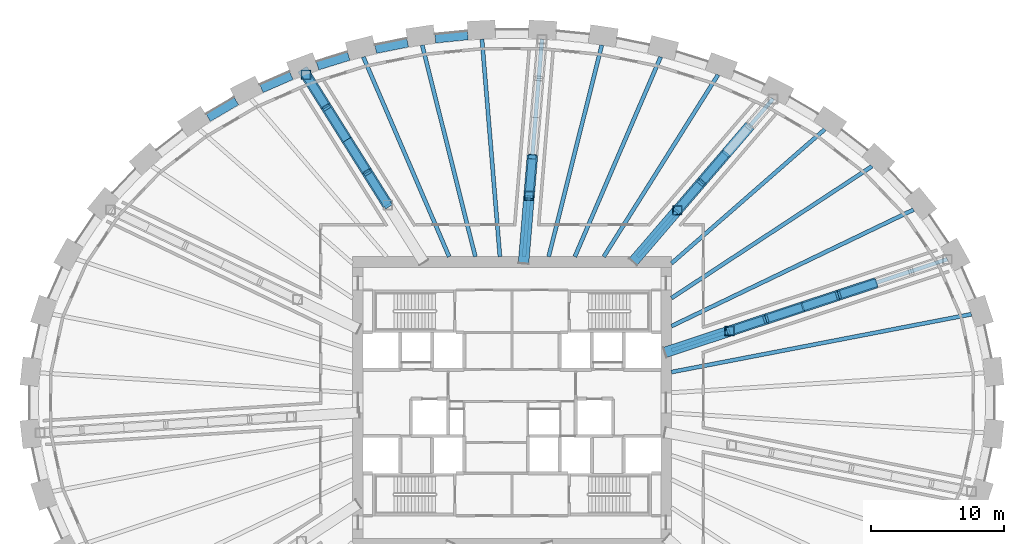
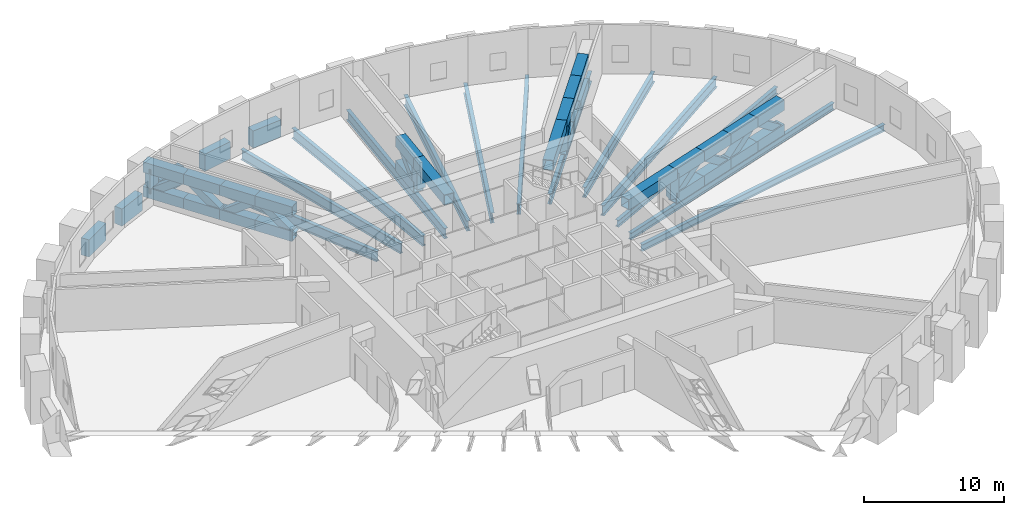
# One storey, part 4 of 13: 42 members, 18 beams.
"""IFC4 building model written with IfcOpenShell, lengths in metres."""

from ifc_helpers import new_model, si_unit, direction, frame, origin, origin_2d, place, context, subcontext, project, spatial, rectangle, hollow_rectangle, i_section, extrude, source, transform, mapped, material, material_profile, profile_set, type_object, element, save


model = new_model("IFC4")

# Units and contexts
model_context = context("Model", 3, precision=1e-05, world=origin(), true_north=direction((0.0, 1.0)))
body_context = subcontext(model_context, "Body", "Model", "MODEL_VIEW")
ifc_project = project(units=[si_unit("LENGTHUNIT", "METRE"), si_unit("AREAUNIT", "SQUARE_METRE"), si_unit("VOLUMEUNIT", "CUBIC_METRE"), si_unit("PLANEANGLEUNIT", "RADIAN"), si_unit("MASSUNIT", "GRAM", prefix="KILO")], contexts=[model_context])

# Site, building, storey
site_placement = place(None, origin())
site = spatial("IfcSite", under=ifc_project, at=site_placement, CompositionType="ELEMENT")
building_placement = place(site_placement, origin())
building = spatial("IfcBuilding", under=site, at=building_placement, Name="Embergate Tower", CompositionType="ELEMENT")
storey_placement = place(building_placement, frame((0.0, 0.0, 195.0)))
storey = spatial("IfcBuildingStorey", under=building, at=storey_placement, Name="L44", CompositionType="ELEMENT", Elevation=195.0)

# Beams
ifc_material_1 = material(Name="Concrete C60", Category="concrete")
ifc_material_profile_1 = material_profile(ifc_material_1, rectangle(XDim=0.64990234375, YDim=1.5, at=origin_2d()), Name="RC 650x1500")
ifc_profile_set_1 = profile_set([ifc_material_profile_1], Name="Concrete C60")
beam_type_1 = type_object("IfcBeamType", Name="Spandrel beam RC 650x1500 C60", PredefinedType="BEAM", material=ifc_profile_set_1)
shared_shape_1 = source(origin(), body_context, "Body", "SweptSolid", [
    extrude(rectangle(XDim=0.64990234375, YDim=1.5, at=origin_2d()), origin(), (0.0, 0.0, 1.0), 2.464111328125),
])
beam_1_placement = place(storey_placement, frame((-20.738037109375, 22.70703125, 0.0), z_axis=(-0.862005524643, -0.506898880928, 0.0), x_axis=(0.506898880928, -0.862005524643, 0.0)))
element("IfcBeam", 1, at=beam_1_placement, inside=storey, type_object=beam_type_1, Name="SPN-L44-15", PredefinedType="BEAM", context=body_context, shape_type="MappedRepresentation", body=[
    mapped(shared_shape_1, transform((0.0, 0.0, 0.0))),
])
shared_shape_2 = source(origin(), body_context, "Body", "SweptSolid", [
    extrude(rectangle(XDim=0.64990234375, YDim=1.5, at=origin_2d()), origin(), (0.0, 0.0, 1.0), 2.4609375),
])
beam_2_placement = place(storey_placement, frame((-16.60302734375, 24.62890625, 0.0), z_axis=(-0.916257487085, -0.400589836818, 0.0), x_axis=(0.400589836818, -0.916257487085, 0.0)))
element("IfcBeam", 2, at=beam_2_placement, inside=storey, type_object=beam_type_1, Name="SPN-L44-14", PredefinedType="BEAM", context=body_context, shape_type="MappedRepresentation", body=[
    mapped(shared_shape_2, transform((0.0, 0.0, 0.0))),
])
shared_shape_3 = source(origin(), body_context, "Body", "SweptSolid", [
    extrude(rectangle(XDim=0.64990234375, YDim=1.5, at=origin_2d()), origin(), (0.0, 0.0, 1.0), 2.4580078125),
])
beam_3_placement = place(storey_placement, frame((-12.2890625, 26.093994140625, 0.0), z_axis=(-0.954764072866, -0.297364364315, 0.0), x_axis=(0.297364364315, -0.954764072866, 0.0)))
element("IfcBeam", 3, at=beam_3_placement, inside=storey, type_object=beam_type_1, Name="SPN-L44-13", PredefinedType="BEAM", context=body_context, shape_type="MappedRepresentation", body=[
    mapped(shared_shape_3, transform((0.0, 0.0, 0.0))),
])
shared_shape_4 = source(origin(), body_context, "Body", "SweptSolid", [
    extrude(rectangle(XDim=0.64990234375, YDim=1.5, at=origin_2d()), origin(), (0.0, 0.0, 1.0), 2.456787109375),
])
beam_4_placement = place(storey_placement, frame((-7.845947265625, 27.095947265625, 0.0), z_axis=(-0.98049267216, -0.196555640573, 0.0), x_axis=(0.196555640573, -0.98049267216, 0.0)))
element("IfcBeam", 4, at=beam_4_placement, inside=storey, type_object=beam_type_1, Name="SPN-L44-12", PredefinedType="BEAM", context=body_context, shape_type="MappedRepresentation", body=[
    mapped(shared_shape_4, transform((0.0, 0.0, 0.0))),
])
shared_shape_5 = source(origin(), body_context, "Body", "SweptSolid", [
    extrude(rectangle(XDim=0.64990234375, YDim=1.5, at=origin_2d()), origin(), (0.0, 0.0, 1.0), 2.455810546875),
])
beam_5_placement = place(storey_placement, frame((-3.324951171875, 27.64599609375, 0.0), z_axis=(-0.995213749565, -0.097722017363, 0.0), x_axis=(0.097722017363, -0.995213749565, 0.0)))
element("IfcBeam", 5, at=beam_5_placement, inside=storey, type_object=beam_type_1, Name="SPN-L44-11", PredefinedType="BEAM", context=body_context, shape_type="MappedRepresentation", body=[
    mapped(shared_shape_5, transform((0.0, 0.0, 0.0))),
])
ifc_material_2 = material(Name="Steel Q355B", Category="steel")
ifc_material_profile_2 = material_profile(ifc_material_2, i_section(OverallWidth=0.300048828125, OverallDepth=0.587890625, WebThickness=0.011962890625, FlangeThickness=0.02001953125, FilletRadius=0.012939453125, at=origin_2d()), Name="HM 588x300x12x20")
ifc_profile_set_2 = profile_set([ifc_material_profile_2], Name="Steel Q355 grade B")
beam_type_2 = type_object("IfcBeamType", Name="Plant girder HM 588x300x12x20", PredefinedType="BEAM", material=ifc_profile_set_2)
shared_shape_6 = source(origin(), body_context, "Body", "SweptSolid", [
    extrude(i_section(OverallWidth=0.300048828125, OverallDepth=0.587890625, WebThickness=0.011962890625, FlangeThickness=0.02001953125, FilletRadius=0.012939453125, at=origin_2d()), origin(), (0.0, 0.0, 1.0), 22.989990234375),
])
beam_6_placement = place(storey_placement, frame((34.573974609375, 6.6689453125, -0.593994140625), z_axis=(-0.981902604408, -0.189386576761, 0.0), x_axis=(0.189386576761, -0.981902604408, 0.0)))
element("IfcBeam", 6, at=beam_6_placement, inside=storey, type_object=beam_type_2, Name="GIR-L44-01", PredefinedType="BEAM", context=body_context, shape_type="MappedRepresentation", body=[
    mapped(shared_shape_6, transform((0.0, 0.0, 0.0))),
])
shared_shape_7 = source(origin(), body_context, "Body", "SweptSolid", [
    extrude(i_section(OverallWidth=0.300048828125, OverallDepth=0.587890625, WebThickness=0.011962890625, FlangeThickness=0.02001953125, FilletRadius=0.012939453125, at=origin_2d()), origin(), (0.0, 0.0, 1.0), 21.86181640625),
])
beam_7_placement = place(storey_placement, frame((32.761962890625, 10.803955078125, -0.593994140625), z_axis=(-0.949690212312, -0.313190837411, 0.0), x_axis=(0.313190837411, -0.949690212312, 0.0)))
element("IfcBeam", 7, at=beam_7_placement, inside=storey, type_object=beam_type_2, Name="GIR-L44-02", PredefinedType="BEAM", context=body_context, shape_type="MappedRepresentation", body=[
    mapped(shared_shape_7, transform((0.0, 0.0, 0.0))),
])
shared_shape_8 = source(origin(), body_context, "Body", "SweptSolid", [
    extrude(i_section(OverallWidth=0.300048828125, OverallDepth=0.587890625, WebThickness=0.011962890625, FlangeThickness=0.02001953125, FilletRadius=0.012939453125, at=origin_2d()), origin(), (0.0, 0.0, 1.0), 20.220458984375),
])
beam_8_placement = place(storey_placement, frame((30.221923828125, 14.5380859375, -0.593994140625), z_axis=(-0.901163637212, -0.433479064046, 0.0), x_axis=(0.433479064046, -0.901163637212, 0.0)))
element("IfcBeam", 8, at=beam_8_placement, inside=storey, type_object=beam_type_2, Name="GIR-L44-03", PredefinedType="BEAM", context=body_context, shape_type="MappedRepresentation", body=[
    mapped(shared_shape_8, transform((0.0, 0.0, 0.0))),
])
ifc_material_profile_3 = material_profile(ifc_material_2, i_section(OverallWidth=0.300048828125, OverallDepth=0.89990234375, WebThickness=0.01611328125, FlangeThickness=0.028076171875, FilletRadius=0.028076171875, at=origin_2d()), Name="HN 900x300x16x28")
ifc_profile_set_3 = profile_set([ifc_material_profile_3], Name="Steel Q355 grade B")
beam_type_3 = type_object("IfcBeamType", Name="Plant girder HN 900x300x16x28", PredefinedType="BEAM", material=ifc_profile_set_3)
shared_shape_9 = source(origin(), body_context, "Body", "SweptSolid", [
    extrude(i_section(OverallWidth=0.300048828125, OverallDepth=0.89990234375, WebThickness=0.01611328125, FlangeThickness=0.028076171875, FilletRadius=0.028076171875, at=origin_2d()), origin(), (0.0, 0.0, 1.0), 18.072509765625),
])
beam_9_placement = place(storey_placement, frame((27.10400390625, 17.80810546875, -0.75), z_axis=(-0.835741437454, -0.549123164437, 0.0), x_axis=(0.549123164437, -0.835741437454, 0.0)))
element("IfcBeam", 9, at=beam_9_placement, inside=storey, type_object=beam_type_3, Name="GIR-L44-04", PredefinedType="BEAM", context=body_context, shape_type="MappedRepresentation", body=[
    mapped(shared_shape_9, transform((0.0, 0.0, 0.0))),
])
shared_shape_10 = source(origin(), body_context, "Body", "SweptSolid", [
    extrude(i_section(OverallWidth=0.300048828125, OverallDepth=0.89990234375, WebThickness=0.01611328125, FlangeThickness=0.028076171875, FilletRadius=0.028076171875, at=origin_2d()), origin(), (0.0, 0.0, 1.0), 15.332275390625),
])
beam_10_placement = place(storey_placement, frame((23.5419921875, 20.587890625, -0.75), z_axis=(-0.752785772217, -0.658265585571, 0.0), x_axis=(0.658265585571, -0.752785772217, 0.0)))
element("IfcBeam", 10, at=beam_10_placement, inside=storey, type_object=beam_type_3, Name="GIR-L44-05", PredefinedType="BEAM", context=body_context, shape_type="MappedRepresentation", body=[
    mapped(shared_shape_10, transform((0.0, 0.0, 0.0))),
])
shared_shape_11 = source(origin(), body_context, "Body", "SweptSolid", [
    extrude(i_section(OverallWidth=0.300048828125, OverallDepth=0.89990234375, WebThickness=0.01611328125, FlangeThickness=0.028076171875, FilletRadius=0.028076171875, at=origin_2d()), origin(), (0.0, 0.0, 1.0), 15.656982421875),
])
beam_11_placement = place(storey_placement, frame((19.64697265625, 22.8779296875, -0.75), z_axis=(-0.65152174109, -0.758629963083, 0.0), x_axis=(0.758629963083, -0.65152174109, 0.0)))
element("IfcBeam", 11, at=beam_11_placement, inside=storey, type_object=beam_type_3, Name="GIR-L44-06", PredefinedType="BEAM", context=body_context, shape_type="MappedRepresentation", body=[
    mapped(shared_shape_11, transform((0.0, 0.0, 0.0))),
])
shared_shape_12 = source(origin(), body_context, "Body", "SweptSolid", [
    extrude(i_section(OverallWidth=0.300048828125, OverallDepth=0.89990234375, WebThickness=0.01611328125, FlangeThickness=0.028076171875, FilletRadius=0.028076171875, at=origin_2d()), origin(), (0.0, 0.0, 1.0), 16.16455078125),
])
beam_12_placement = place(storey_placement, frame((15.5048828125, 24.68896484375, -0.75), z_axis=(-0.531835896926, -0.84684743534, 0.0), x_axis=(0.84684743534, -0.531835896926, 0.0)))
element("IfcBeam", 12, at=beam_12_placement, inside=storey, type_object=beam_type_3, Name="GIR-L44-07", PredefinedType="BEAM", context=body_context, shape_type="MappedRepresentation", body=[
    mapped(shared_shape_12, transform((0.0, 0.0, 0.0))),
])
shared_shape_13 = source(origin(), body_context, "Body", "SweptSolid", [
    extrude(i_section(OverallWidth=0.300048828125, OverallDepth=0.89990234375, WebThickness=0.01611328125, FlangeThickness=0.028076171875, FilletRadius=0.028076171875, at=origin_2d()), origin(), (0.0, 0.0, 1.0), 16.363037109375),
])
for number, where, z_axis, x_axis, name in (
    (13, (11.18994140625, 26.032958984375, -0.75), (-0.394911270951, -0.918719265105, 0.0), (0.918719265105, -0.394911270951, 0.0), "GIR-L44-08"),
    (14, (-11.18994140625, 26.032958984375, -0.75), (0.394911270951, -0.918719265105, 0.0), (0.918719265105, 0.394911270951, 0.0), "GIR-L44-13"),
):
    element("IfcBeam", number, at=place(storey_placement, frame(where, z_axis=z_axis, x_axis=x_axis)), inside=storey, type_object=beam_type_3, Name=name, PredefinedType="BEAM", context=body_context, shape_type="MappedRepresentation", body=[
        mapped(shared_shape_13, transform((0.0, 0.0, 0.0))),
    ])
shared_shape_14 = source(origin(), body_context, "Body", "SweptSolid", [
    extrude(i_section(OverallWidth=0.300048828125, OverallDepth=0.89990234375, WebThickness=0.01611328125, FlangeThickness=0.028076171875, FilletRadius=0.028076171875, at=origin_2d()), origin(), (0.0, 0.0, 1.0), 16.416259765625),
])
for number, where, z_axis, x_axis, name in (
    (15, (6.758056640625, 26.922119140625, -0.75), (-0.243483815658, -0.969904960041, 0.0), (0.969904960041, -0.243483815658, 0.0), "GIR-L44-09"),
    (16, (-6.758056640625, 26.922119140625, -0.75), (0.243483815658, -0.969904960041, 0.0), (0.969904960041, 0.243483815658, 0.0), "GIR-L44-12"),
):
    element("IfcBeam", number, at=place(storey_placement, frame(where, z_axis=z_axis, x_axis=x_axis)), inside=storey, type_object=beam_type_3, Name=name, PredefinedType="BEAM", context=body_context, shape_type="MappedRepresentation", body=[
        mapped(shared_shape_14, transform((0.0, 0.0, 0.0))),
    ])
shared_shape_15 = source(origin(), body_context, "Body", "SweptSolid", [
    extrude(i_section(OverallWidth=0.300048828125, OverallDepth=0.89990234375, WebThickness=0.01611328125, FlangeThickness=0.028076171875, FilletRadius=0.028076171875, at=origin_2d()), origin(), (0.0, 0.0, 1.0), 16.419677734375),
])
for number, where, z_axis, x_axis, name in (
    (17, (2.260009765625, 27.364013671875, -0.75), (-0.082342836437, -0.996604062448, 0.0), (0.996604062448, -0.082342836437, 0.0), "GIR-L44-10"),
    (18, (-2.260009765625, 27.364013671875, -0.75), (0.082342836437, -0.996604062448, 0.0), (0.996604062448, 0.082342836437, 0.0), "GIR-L44-11"),
):
    element("IfcBeam", number, at=place(storey_placement, frame(where, z_axis=z_axis, x_axis=x_axis)), inside=storey, type_object=beam_type_3, Name=name, PredefinedType="BEAM", context=body_context, shape_type="MappedRepresentation", body=[
        mapped(shared_shape_15, transform((0.0, 0.0, 0.0))),
    ])

# Members
ifc_material_profile_4 = material_profile(ifc_material_2, hollow_rectangle(XDim=0.800048828125, YDim=0.89990234375, WallThickness=0.0400390625, at=origin_2d()), Name="BOX 900x800x40")
ifc_profile_set_4 = profile_set([ifc_material_profile_4], Name="Steel Q355 grade B")
member_type_1 = type_object("IfcMemberType", Name="Outrigger chord BOX 900x800x40", PredefinedType="CHORD", material=ifc_profile_set_4)
shared_shape_16 = source(origin(), body_context, "Body", "SweptSolid", [
    extrude(hollow_rectangle(XDim=0.800048828125, YDim=0.89990234375, WallThickness=0.0400390625, at=origin_2d()), origin(), (0.0, 0.0, 1.0), 5.200927734375),
])
member_1_placement = place(storey_placement, frame((11.52490234375, 3.800048828125, 2.570068359375), z_axis=(0.949687723772, 0.313198383323, 0.0), x_axis=(-0.313198383323, 0.949687723772, 0.0)))
element("IfcMember", 19, at=member_1_placement, inside=storey, type_object=member_type_1, Name="OUT-L44-02-TC00", PredefinedType="CHORD", context=body_context, shape_type="MappedRepresentation", body=[
    mapped(shared_shape_16, transform((0.0, 0.0, 0.0))),
])
shared_shape_17 = source(origin(), body_context, "Body", "SweptSolid", [
    extrude(hollow_rectangle(XDim=0.800048828125, YDim=0.89990234375, WallThickness=0.0400390625, at=origin_2d()), origin(), (0.0, 0.0, 1.0), 2.976806640625),
])
for number, where, z_axis, x_axis, name in (
    (20, (16.368896484375, 5.39794921875, 2.570068359375), (0.949711597763, 0.313125982751, 0.0), (-0.313125982751, 0.949711597763, 0.0), "OUT-L44-02-TC01"),
    (21, (24.56494140625, 8.10107421875, 2.570068359375), (0.949735984511, 0.31305200802, 0.0), (-0.31305200802, 0.949735984511, 0.0), "OUT-L44-02-TC04"),
    (22, (16.368896484375, 5.39794921875, 0.449951171875), (0.949711597763, 0.313125982751, 0.0), (-0.313125982751, 0.949711597763, 0.0), "OUT-L44-02-BC00"),
    (23, (24.56494140625, 8.10107421875, 0.449951171875), (0.949735984511, 0.31305200802, 0.0), (-0.31305200802, 0.949735984511, 0.0), "OUT-L44-02-BC03"),
):
    element("IfcMember", number, at=place(storey_placement, frame(where, z_axis=z_axis, x_axis=x_axis)), inside=storey, type_object=member_type_1, Name=name, PredefinedType="CHORD", context=body_context, shape_type="MappedRepresentation", body=[
        mapped(shared_shape_17, transform((0.0, 0.0, 0.0))),
    ])
shared_shape_18 = source(origin(), body_context, "Body", "SweptSolid", [
    extrude(hollow_rectangle(XDim=0.800048828125, YDim=0.89990234375, WallThickness=0.0400390625, at=origin_2d()), origin(), (0.0, 0.0, 1.0), 2.9765625),
])
for number, where, z_axis, x_axis, name in (
    (24, (19.10107421875, 6.299072265625, 2.570068359375), (0.949727945954, 0.313076394309, 0.0), (-0.313076394309, 0.949727945954, 0.0), "OUT-L44-02-TC02"),
    (25, (21.8330078125, 7.199951171875, 2.570068359375), (0.949703555614, 0.31315037355, 0.0), (-0.31315037355, 0.949703555614, 0.0), "OUT-L44-02-TC03"),
    (26, (19.10107421875, 6.299072265625, 0.449951171875), (0.949727945954, 0.313076394309, 0.0), (-0.313076394309, 0.949727945954, 0.0), "OUT-L44-02-BC01"),
    (27, (21.8330078125, 7.199951171875, 0.449951171875), (0.949703555614, 0.31315037355, 0.0), (-0.31315037355, 0.949703555614, 0.0), "OUT-L44-02-BC02"),
):
    element("IfcMember", number, at=place(storey_placement, frame(where, z_axis=z_axis, x_axis=x_axis)), inside=storey, type_object=member_type_1, Name=name, PredefinedType="CHORD", context=body_context, shape_type="MappedRepresentation", body=[
        mapped(shared_shape_18, transform((0.0, 0.0, 0.0))),
    ])
ifc_material_profile_5 = material_profile(ifc_material_2, hollow_rectangle(XDim=0.699951171875, YDim=0.699951171875, WallThickness=0.031982421875, at=origin_2d()), Name="BOX 700x700x32")
ifc_profile_set_5 = profile_set([ifc_material_profile_5], Name="Steel Q355 grade B")
member_type_2 = type_object("IfcMemberType", Name="Outrigger post BOX 700x700x32", PredefinedType="POST", material=ifc_profile_set_5)
shared_shape_19 = source(origin(), body_context, "Body", "SweptSolid", [
    extrude(hollow_rectangle(XDim=0.699951171875, YDim=0.699951171875, WallThickness=0.031982421875, at=origin_2d()), origin(), (0.0, 0.0, 1.0), 2.1201171875),
])
for number, where, z_axis, x_axis, name in (
    (28, (16.368896484375, 5.39794921875, 0.449951171875), (0.0, 0.0, 1.0), (1.0, 0.0, 0.0), "OUT-L44-02-PO00"),
    (29, (12.443115234375, 14.489990234375, 0.449951171875), (0.0, 0.0, 1.0), (1.0, 0.0, 0.0), "OUT-L44-06-PO00"),
    (30, (1.287109375, 15.583984375, 0.449951171875), (0.0, 0.0, 1.0), (1.0, 0.0, 0.0), "OUT-L44-10-PO00"),
    (31, (-15.506103515625, 24.68896484375, 0.449951171875), (0.0, 0.0, 1.0), (1.0, 0.0, 0.0), "OUT-L44-14-PO04"),
):
    element("IfcMember", number, at=place(storey_placement, frame(where, z_axis=z_axis, x_axis=x_axis)), inside=storey, type_object=member_type_2, Name=name, PredefinedType="POST", context=body_context, shape_type="MappedRepresentation", body=[
        mapped(shared_shape_19, transform((0.0, 0.0, 0.0))),
    ])
ifc_material_profile_6 = material_profile(ifc_material_2, hollow_rectangle(XDim=0.60009765625, YDim=0.60009765625, WallThickness=0.028076171875, at=origin_2d()), Name="BOX 600x600x28")
ifc_profile_set_6 = profile_set([ifc_material_profile_6], Name="Steel Q355 grade B")
member_type_3 = type_object("IfcMemberType", Name="Outrigger diagonal BOX 600x600x28", PredefinedType="BRACE", material=ifc_profile_set_6)
shared_shape_20 = source(origin(), body_context, "Body", "SweptSolid", [
    extrude(hollow_rectangle(XDim=0.60009765625, YDim=0.60009765625, WallThickness=0.028076171875, at=origin_2d()), origin(), (0.0, 0.0, 1.0), 3.57373046875),
])
for number, where, z_axis, x_axis, name in (
    (32, (16.368896484375, 5.39794921875, 0.449951171875), (0.764512061766, 0.252150301133, 0.593246603912), (-0.313222099743, 0.949679901984, 0.0), "OUT-L44-02-DG00"),
    (33, (24.56494140625, 8.10107421875, 2.570068359375), (0.764525229519, 0.252086328025, -0.593256821834), (-0.313145561205, 0.949705142398, 0.0), "OUT-L44-02-DG03"),
):
    element("IfcMember", number, at=place(storey_placement, frame(where, z_axis=z_axis, x_axis=x_axis)), inside=storey, type_object=member_type_3, Name=name, PredefinedType="BRACE", context=body_context, shape_type="MappedRepresentation", body=[
        mapped(shared_shape_20, transform((0.0, 0.0, 0.0))),
    ])
shared_shape_21 = source(origin(), body_context, "Body", "SweptSolid", [
    extrude(hollow_rectangle(XDim=0.60009765625, YDim=0.60009765625, WallThickness=0.028076171875, at=origin_2d()), origin(), (0.0, 0.0, 1.0), 3.573486328125),
])
for number, where, z_axis, x_axis, name in (
    (34, (19.10107421875, 6.299072265625, 2.570068359375), (0.764496841884, 0.252099494777, -0.593287808304), (-0.313170801129, 0.949696819685, 0.0), "OUT-L44-02-DG01"),
    (35, (21.8330078125, 7.199951171875, 0.449951171875), (0.764483673245, 0.252163470773, 0.593277588781), (-0.313247344494, 0.949671575424, 0.0), "OUT-L44-02-DG02"),
):
    element("IfcMember", number, at=place(storey_placement, frame(where, z_axis=z_axis, x_axis=x_axis)), inside=storey, type_object=member_type_3, Name=name, PredefinedType="BRACE", context=body_context, shape_type="MappedRepresentation", body=[
        mapped(shared_shape_21, transform((0.0, 0.0, 0.0))),
    ])
shared_shape_22 = source(origin(), body_context, "Body", "SweptSolid", [
    extrude(hollow_rectangle(XDim=0.800048828125, YDim=0.89990234375, WallThickness=0.0400390625, at=origin_2d()), origin(), (0.0, 0.0, 1.0), 5.199951171875),
])
member_2_placement = place(storey_placement, frame((9.1201171875, 10.62109375, 2.570068359375), z_axis=(0.651529566496, 0.758623242447, 0.0), x_axis=(-0.758623242447, 0.651529566496, 0.0)))
element("IfcMember", 36, at=member_2_placement, inside=storey, type_object=member_type_1, Name="OUT-L44-06-TC00", PredefinedType="CHORD", context=body_context, shape_type="MappedRepresentation", body=[
    mapped(shared_shape_22, transform((0.0, 0.0, 0.0))),
])
shared_shape_23 = source(origin(), body_context, "Body", "SweptSolid", [
    extrude(hollow_rectangle(XDim=0.800048828125, YDim=0.89990234375, WallThickness=0.0400390625, at=origin_2d()), origin(), (0.0, 0.0, 1.0), 2.8642578125),
])
for number, where, z_axis, x_axis, name in (
    (37, (12.443115234375, 14.489990234375, 2.570068359375), (0.651457968004, 0.75868472762, 0.0), (-0.75868472762, 0.651457968004, 0.0), "OUT-L44-06-TC01"),
    (38, (12.443115234375, 14.489990234375, 0.449951171875), (0.651457968004, 0.75868472762, 0.0), (-0.75868472762, 0.651457968004, 0.0), "OUT-L44-06-BC00"),
):
    element("IfcMember", number, at=place(storey_placement, frame(where, z_axis=z_axis, x_axis=x_axis)), inside=storey, type_object=member_type_1, Name=name, PredefinedType="CHORD", context=body_context, shape_type="MappedRepresentation", body=[
        mapped(shared_shape_23, transform((0.0, 0.0, 0.0))),
    ])
shared_shape_24 = source(origin(), body_context, "Body", "SweptSolid", [
    extrude(hollow_rectangle(XDim=0.800048828125, YDim=0.89990234375, WallThickness=0.0400390625, at=origin_2d()), origin(), (0.0, 0.0, 1.0), 2.864501953125),
])
for number, where, z_axis, x_axis, name in (
    (39, (14.243896484375, 16.5869140625, 2.570068359375), (0.651507025915, 0.758642600428, 0.0), (-0.758642600428, 0.651507025915, 0.0), "OUT-L44-06-TC02"),
    (40, (14.243896484375, 16.5869140625, 0.449951171875), (0.651507025915, 0.758642600428, 0.0), (-0.758642600428, 0.651507025915, 0.0), "OUT-L44-06-BC01"),
):
    element("IfcMember", number, at=place(storey_placement, frame(where, z_axis=z_axis, x_axis=x_axis)), inside=storey, type_object=member_type_1, Name=name, PredefinedType="CHORD", context=body_context, shape_type="MappedRepresentation", body=[
        mapped(shared_shape_24, transform((0.0, 0.0, 0.0))),
    ])
shared_shape_25 = source(origin(), body_context, "Body", "SweptSolid", [
    extrude(hollow_rectangle(XDim=0.800048828125, YDim=0.89990234375, WallThickness=0.0400390625, at=origin_2d()), origin(), (0.0, 0.0, 1.0), 2.864013671875),
])
for number, where, z_axis, x_axis, name in (
    (41, (16.044921875, 18.68408203125, 2.570068359375), (0.65150009767, 0.758648550211, 0.0), (-0.758648550211, 0.65150009767, 0.0), "OUT-L44-06-TC03"),
    (42, (16.044921875, 18.68408203125, 0.449951171875), (0.65150009767, 0.758648550211, 0.0), (-0.758648550211, 0.65150009767, 0.0), "OUT-L44-06-BC02"),
):
    element("IfcMember", number, at=place(storey_placement, frame(where, z_axis=z_axis, x_axis=x_axis)), inside=storey, type_object=member_type_1, Name=name, PredefinedType="CHORD", context=body_context, shape_type="MappedRepresentation", body=[
        mapped(shared_shape_25, transform((0.0, 0.0, 0.0))),
    ])
shared_shape_26 = source(origin(), body_context, "Body", "SweptSolid", [
    extrude(hollow_rectangle(XDim=0.60009765625, YDim=0.60009765625, WallThickness=0.028076171875, at=origin_2d()), origin(), (0.0, 0.0, 1.0), 3.4833984375),
])
member_3_placement = place(storey_placement, frame((12.443115234375, 14.489990234375, 0.449951171875), z_axis=(0.516945378241, 0.601958223117, 0.608616277745), x_axis=(-0.758645248967, 0.65150394183, 0.0)))
element("IfcMember", 43, at=member_3_placement, inside=storey, type_object=member_type_3, Name="OUT-L44-06-DG00", PredefinedType="BRACE", context=body_context, shape_type="MappedRepresentation", body=[
    mapped(shared_shape_26, transform((0.0, 0.0, 0.0))),
])
shared_shape_27 = source(origin(), body_context, "Body", "SweptSolid", [
    extrude(hollow_rectangle(XDim=0.60009765625, YDim=0.60009765625, WallThickness=0.028076171875, at=origin_2d()), origin(), (0.0, 0.0, 1.0), 3.48388671875),
])
member_4_placement = place(storey_placement, frame((14.243896484375, 16.5869140625, 2.570068359375), z_axis=(0.516974921876, 0.601981100572, -0.608568553826), x_axis=(-0.758639084175, 0.651511120368, 0.0)))
element("IfcMember", 44, at=member_4_placement, inside=storey, type_object=member_type_3, Name="OUT-L44-06-DG01", PredefinedType="BRACE", context=body_context, shape_type="MappedRepresentation", body=[
    mapped(shared_shape_27, transform((0.0, 0.0, 0.0))),
])
shared_shape_28 = source(origin(), body_context, "Body", "SweptSolid", [
    extrude(hollow_rectangle(XDim=0.800048828125, YDim=0.89990234375, WallThickness=0.0400390625, at=origin_2d()), origin(), (0.0, 0.0, 1.0), 5.19970703125),
])
member_5_placement = place(storey_placement, frame((0.867919921875, 10.501953125, 2.570068359375), z_axis=(0.082307174483, 0.996607008318, 0.0), x_axis=(-0.996607008318, 0.082307174483, 0.0)))
element("IfcMember", 45, at=member_5_placement, inside=storey, type_object=member_type_1, Name="OUT-L44-10-TC00", PredefinedType="CHORD", context=body_context, shape_type="MappedRepresentation", body=[
    mapped(shared_shape_28, transform((0.0, 0.0, 0.0))),
])
shared_shape_29 = source(origin(), body_context, "Body", "SweptSolid", [
    extrude(hollow_rectangle(XDim=0.800048828125, YDim=0.89990234375, WallThickness=0.0400390625, at=origin_2d()), origin(), (0.0, 0.0, 1.0), 3.055419921875),
])
for number, where, z_axis, x_axis, name in (
    (46, (1.287109375, 15.583984375, 2.570068359375), (0.082463525817, 0.996594083321, 0.0), (-0.996594083321, 0.082463525817, 0.0), "OUT-L44-10-TC01"),
    (47, (1.287109375, 15.583984375, 0.449951171875), (0.082463525817, 0.996594083321, 0.0), (-0.996594083321, 0.082463525817, 0.0), "OUT-L44-10-BC00"),
):
    element("IfcMember", number, at=place(storey_placement, frame(where, z_axis=z_axis, x_axis=x_axis)), inside=storey, type_object=member_type_1, Name=name, PredefinedType="CHORD", context=body_context, shape_type="MappedRepresentation", body=[
        mapped(shared_shape_29, transform((0.0, 0.0, 0.0))),
    ])
shared_shape_30 = source(origin(), body_context, "Body", "SweptSolid", [
    extrude(hollow_rectangle(XDim=0.60009765625, YDim=0.60009765625, WallThickness=0.028076171875, at=origin_2d()), origin(), (0.0, 0.0, 1.0), 3.636962890625),
])
member_6_placement = place(storey_placement, frame((1.287109375, 15.583984375, 0.449951171875), z_axis=(0.067059693748, 0.809750836514, 0.582929309814), x_axis=(-0.996588358367, 0.082532684242, 0.0)))
element("IfcMember", 48, at=member_6_placement, inside=storey, type_object=member_type_3, Name="OUT-L44-10-DG00", PredefinedType="BRACE", context=body_context, shape_type="MappedRepresentation", body=[
    mapped(shared_shape_30, transform((0.0, 0.0, 0.0))),
])
shared_shape_31 = source(origin(), body_context, "Body", "SweptSolid", [
    extrude(hollow_rectangle(XDim=0.800048828125, YDim=0.89990234375, WallThickness=0.0400390625, at=origin_2d()), origin(), (0.0, 0.0, 1.0), 2.9912109375),
])
for number, where, z_axis, x_axis, name in (
    (49, (-9.35498046875, 14.89501953125, 2.570068359375), (-0.531912430629, 0.846799365932, 0.0), (-0.846799365932, -0.531912430629, 0.0), "OUT-L44-14-TC01"),
    (50, (-12.429931640625, 19.7919921875, 2.570068359375), (-0.531912430629, 0.846799365932, 0.0), (-0.846799365932, -0.531912430629, 0.0), "OUT-L44-14-TC03"),
    (51, (-9.35498046875, 14.89501953125, 0.449951171875), (-0.531912430629, 0.846799365932, 0.0), (-0.846799365932, -0.531912430629, 0.0), "OUT-L44-14-BC00"),
    (52, (-12.429931640625, 19.7919921875, 0.449951171875), (-0.531912430629, 0.846799365932, 0.0), (-0.846799365932, -0.531912430629, 0.0), "OUT-L44-14-BC02"),
):
    element("IfcMember", number, at=place(storey_placement, frame(where, z_axis=z_axis, x_axis=x_axis)), inside=storey, type_object=member_type_1, Name=name, PredefinedType="CHORD", context=body_context, shape_type="MappedRepresentation", body=[
        mapped(shared_shape_31, transform((0.0, 0.0, 0.0))),
    ])
shared_shape_32 = source(origin(), body_context, "Body", "SweptSolid", [
    extrude(hollow_rectangle(XDim=0.800048828125, YDim=0.89990234375, WallThickness=0.0400390625, at=origin_2d()), origin(), (0.0, 0.0, 1.0), 2.99169921875),
])
for number, where, z_axis, x_axis, name in (
    (53, (-10.89208984375, 17.343994140625, 2.570068359375), (-0.532087976199, 0.846689072555, 0.0), (-0.846689072555, -0.532087976199, 0.0), "OUT-L44-14-TC02"),
    (54, (-10.89208984375, 17.343994140625, 0.449951171875), (-0.532087976199, 0.846689072555, 0.0), (-0.846689072555, -0.532087976199, 0.0), "OUT-L44-14-BC01"),
):
    element("IfcMember", number, at=place(storey_placement, frame(where, z_axis=z_axis, x_axis=x_axis)), inside=storey, type_object=member_type_1, Name=name, PredefinedType="CHORD", context=body_context, shape_type="MappedRepresentation", body=[
        mapped(shared_shape_32, transform((0.0, 0.0, 0.0))),
    ])
shared_shape_33 = source(origin(), body_context, "Body", "SweptSolid", [
    extrude(hollow_rectangle(XDim=0.800048828125, YDim=0.89990234375, WallThickness=0.0400390625, at=origin_2d()), origin(), (0.0, 0.0, 1.0), 3.390869140625),
])
for number, where, z_axis, x_axis, name in (
    (55, (-13.968017578125, 22.240966796875, 2.570068359375), (-0.532016706401, 0.846733856717, 0.0), (-0.846733856717, -0.532016706401, 0.0), "OUT-L44-14-TC04"),
    (56, (-13.968017578125, 22.240966796875, 0.449951171875), (-0.532016706401, 0.846733856717, 0.0), (-0.846733856717, -0.532016706401, 0.0), "OUT-L44-14-BC03"),
):
    element("IfcMember", number, at=place(storey_placement, frame(where, z_axis=z_axis, x_axis=x_axis)), inside=storey, type_object=member_type_1, Name=name, PredefinedType="CHORD", context=body_context, shape_type="MappedRepresentation", body=[
        mapped(shared_shape_33, transform((0.0, 0.0, 0.0))),
    ])
shared_shape_34 = source(origin(), body_context, "Body", "SweptSolid", [
    extrude(hollow_rectangle(XDim=0.60009765625, YDim=0.60009765625, WallThickness=0.028076171875, at=origin_2d()), origin(), (0.0, 0.0, 1.0), 3.58544921875),
])
member_7_placement = place(storey_placement, frame((-9.35498046875, 14.89501953125, 0.449951171875), z_axis=(-0.428713737968, 0.683041217528, 0.591319901606), x_axis=(-0.846986366617, -0.531614611128, 0.0)))
element("IfcMember", 57, at=member_7_placement, inside=storey, type_object=member_type_3, Name="OUT-L44-14-DG00", PredefinedType="BRACE", context=body_context, shape_type="MappedRepresentation", body=[
    mapped(shared_shape_34, transform((0.0, 0.0, 0.0))),
])
shared_shape_35 = source(origin(), body_context, "Body", "SweptSolid", [
    extrude(hollow_rectangle(XDim=0.60009765625, YDim=0.60009765625, WallThickness=0.028076171875, at=origin_2d()), origin(), (0.0, 0.0, 1.0), 3.5849609375),
])
member_8_placement = place(storey_placement, frame((-10.89208984375, 17.343994140625, 2.570068359375), z_axis=(-0.428960231482, 0.682836043987, -0.591378099729), x_axis=(-0.846776758632, -0.53194841953, 0.0)))
element("IfcMember", 58, at=member_8_placement, inside=storey, type_object=member_type_3, Name="OUT-L44-14-DG01", PredefinedType="BRACE", context=body_context, shape_type="MappedRepresentation", body=[
    mapped(shared_shape_35, transform((0.0, 0.0, 0.0))),
])
shared_shape_36 = source(origin(), body_context, "Body", "SweptSolid", [
    extrude(hollow_rectangle(XDim=0.60009765625, YDim=0.60009765625, WallThickness=0.028076171875, at=origin_2d()), origin(), (0.0, 0.0, 1.0), 3.5859375),
])
member_9_placement = place(storey_placement, frame((-12.429931640625, 19.7919921875, 0.449951171875), z_axis=(-0.428936010398, 0.682961447667, 0.591250843539), x_axis=(-0.84683428159, -0.531856841194, 0.0)))
element("IfcMember", 59, at=member_9_placement, inside=storey, type_object=member_type_3, Name="OUT-L44-14-DG02", PredefinedType="BRACE", context=body_context, shape_type="MappedRepresentation", body=[
    mapped(shared_shape_36, transform((0.0, 0.0, 0.0))),
])
shared_shape_37 = source(origin(), body_context, "Body", "SweptSolid", [
    extrude(hollow_rectangle(XDim=0.60009765625, YDim=0.60009765625, WallThickness=0.028076171875, at=origin_2d()), origin(), (0.0, 0.0, 1.0), 3.585205078125),
])
member_10_placement = place(storey_placement, frame((-13.968017578125, 22.240966796875, 2.570068359375), z_axis=(-0.429015797963, 0.682816096218, -0.591360823731), x_axis=(-0.846738718539, -0.532008968465, 0.0)))
element("IfcMember", 60, at=member_10_placement, inside=storey, type_object=member_type_3, Name="OUT-L44-14-DG03", PredefinedType="BRACE", context=body_context, shape_type="MappedRepresentation", body=[
    mapped(shared_shape_37, transform((0.0, 0.0, 0.0))),
])

save(model, "model.ifc")
